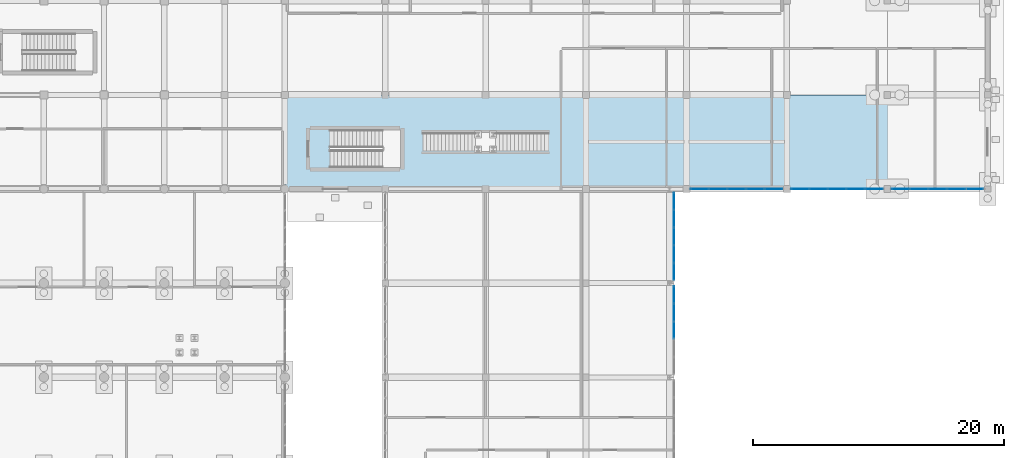
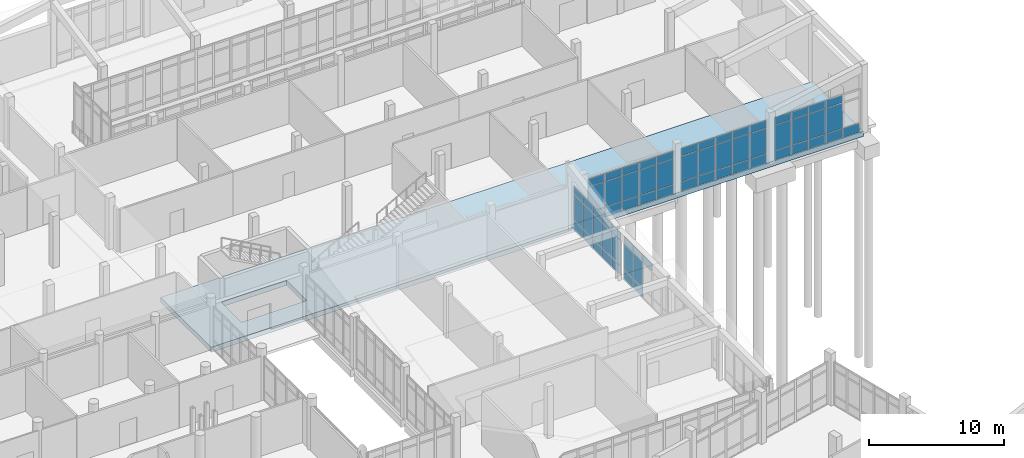
# One storey, part 144 of 173: 65 plates, 1 slab, 5 elements without a shape of their own.
"""IFC4 building model written with IfcOpenShell, lengths in metres."""

from ifc_helpers import new_model, si_unit, direction, frame, origin, origin_2d, place, context, subcontext, project, spatial, polyline, rectangle, outline, extrude, material, layer, layer_set, type_object, element, aggregate, save


model = new_model("IFC4")

# Units and contexts
model_context = context("Model", 3, precision=1e-05, world=origin(), true_north=direction((0.0, 1.0)))
body_context = subcontext(model_context, "Body", "Model", "MODEL_VIEW")
ifc_project = project(units=[si_unit("LENGTHUNIT", "METRE"), si_unit("AREAUNIT", "SQUARE_METRE"), si_unit("VOLUMEUNIT", "CUBIC_METRE"), si_unit("PLANEANGLEUNIT", "RADIAN"), si_unit("MASSUNIT", "GRAM", prefix="KILO")], contexts=[model_context])

# Site, building, storey
site_placement = place(None, origin())
site = spatial("IfcSite", under=ifc_project, at=site_placement, CompositionType="ELEMENT")
building_placement = place(site_placement, origin())
building = spatial("IfcBuilding", under=site, at=building_placement, Name="Mawjan Specialist Oncology Clinic", CompositionType="ELEMENT")
storey_placement = place(building_placement, origin())
storey = spatial("IfcBuildingStorey", under=building, at=storey_placement, Name="L00", CompositionType="ELEMENT", Elevation=0.0)

# Curtain wall, plates
ifc_material_1 = material(Name="Unitised spectrally selective aluminium curtain wall", Category="aluminium")
ifc_layer_1 = layer(ifc_material_1, 0.179931640625, Name="Unitised spectrally selective aluminium curtain wall", Category="aluminium")
ifc_layer_set_1 = layer_set([ifc_layer_1], Name="Unitised spectrally selective aluminium curtain wall")
curtain_wall_type_1 = type_object("IfcCurtainWallType", Name="CW-16", PredefinedType="NOTDEFINED", material=ifc_layer_set_1)
curtain_wall_1_placement = place(storey_placement, origin())
curtain_wall_1 = element("IfcCurtainWall", 1, at=curtain_wall_1_placement, inside=storey, type_object=curtain_wall_type_1, Name="L00 Unitised Curtain Wall CW-L00-029", PredefinedType="NOTDEFINED")
ifc_material_2 = material(Name="Spectrally selective double low-E glazing", Category="glass")
ifc_layer_2 = layer(ifc_material_2, 0.035888671875, Name="Spectrally selective double low-E glazing", Category="glass")
ifc_layer_set_2 = layer_set([ifc_layer_2], Name="Spectrally selective double low-E glazing")
plate_type = type_object("IfcPlateType", Name="CW-P36", PredefinedType="CURTAIN_PANEL", material=ifc_layer_set_2)
plate_1_placement = place(storey_placement, frame((162.97021484375, 75.800048828125, 0.06494140625), z_axis=(0.0, 0.0, 1.0), x_axis=(-1.0, 0.0, 0.0)))
plate_1 = element("IfcPlate", 2, at=plate_1_placement, type_object=plate_type, Name="CW-16 panel 1.1", PredefinedType="CURTAIN_PANEL", context=body_context, shape_type="SweptSolid", body=[
    extrude(rectangle(XDim=1.389404296875, YDim=0.035888671875, at=origin_2d()), origin(), (0.0, 0.0, 1.0), 0.802490234375),
])
plate_2_placement = place(storey_placement, frame((161.49951171875, 75.800048828125, 0.06494140625), z_axis=(0.0, 0.0, 1.0), x_axis=(-1.0, 0.0, 0.0)))
plate_2 = element("IfcPlate", 3, at=plate_2_placement, type_object=plate_type, Name="CW-16 panel 2.1", PredefinedType="CURTAIN_PANEL", context=body_context, shape_type="SweptSolid", body=[
    extrude(rectangle(XDim=1.422119140625, YDim=0.035888671875, at=origin_2d()), origin(), (0.0, 0.0, 1.0), 0.802490234375),
])
plate_3_placement = place(storey_placement, frame((161.49951171875, 75.800048828125, 0.932373046875), z_axis=(0.0, 0.0, 1.0), x_axis=(-1.0, 0.0, 0.0)))
plate_3 = element("IfcPlate", 4, at=plate_3_placement, type_object=plate_type, Name="CW-16 panel 2.2", PredefinedType="CURTAIN_PANEL", context=body_context, shape_type="SweptSolid", body=[
    extrude(rectangle(XDim=1.422119140625, YDim=0.035888671875, at=origin_2d()), origin(), (0.0, 0.0, 1.0), 2.27001953125),
])
plate_4_placement = place(storey_placement, frame((161.49951171875, 75.800048828125, 3.267578125), z_axis=(0.0, 0.0, 1.0), x_axis=(-1.0, 0.0, 0.0)))
plate_4 = element("IfcPlate", 5, at=plate_4_placement, type_object=plate_type, Name="CW-16 panel 2.3", PredefinedType="CURTAIN_PANEL", context=body_context, shape_type="SweptSolid", body=[
    extrude(rectangle(XDim=1.422119140625, YDim=0.035888671875, at=origin_2d()), origin(), (0.0, 0.0, 1.0), 0.652587890625),
])
plate_5_placement = place(storey_placement, frame((160.012451171875, 75.800048828125, 0.06494140625), z_axis=(0.0, 0.0, 1.0), x_axis=(-1.0, 0.0, 0.0)))
plate_5 = element("IfcPlate", 6, at=plate_5_placement, type_object=plate_type, Name="CW-16 panel 3.1", PredefinedType="CURTAIN_PANEL", context=body_context, shape_type="SweptSolid", body=[
    extrude(rectangle(XDim=1.422119140625, YDim=0.035888671875, at=origin_2d()), origin(), (0.0, 0.0, 1.0), 0.802490234375),
])
plate_6_placement = place(storey_placement, frame((160.012451171875, 75.800048828125, 0.932373046875), z_axis=(0.0, 0.0, 1.0), x_axis=(-1.0, 0.0, 0.0)))
plate_6 = element("IfcPlate", 7, at=plate_6_placement, type_object=plate_type, Name="CW-16 panel 3.2", PredefinedType="CURTAIN_PANEL", context=body_context, shape_type="SweptSolid", body=[
    extrude(rectangle(XDim=1.422119140625, YDim=0.035888671875, at=origin_2d()), origin(), (0.0, 0.0, 1.0), 2.27001953125),
])
plate_7_placement = place(storey_placement, frame((160.012451171875, 75.800048828125, 3.267578125), z_axis=(0.0, 0.0, 1.0), x_axis=(-1.0, 0.0, 0.0)))
plate_7 = element("IfcPlate", 8, at=plate_7_placement, type_object=plate_type, Name="CW-16 panel 3.3", PredefinedType="CURTAIN_PANEL", context=body_context, shape_type="SweptSolid", body=[
    extrude(rectangle(XDim=1.422119140625, YDim=0.035888671875, at=origin_2d()), origin(), (0.0, 0.0, 1.0), 0.652587890625),
])
plate_8_placement = place(storey_placement, frame((158.525390625, 75.800048828125, 0.06494140625), z_axis=(0.0, 0.0, 1.0), x_axis=(-1.0, 0.0, 0.0)))
plate_8 = element("IfcPlate", 9, at=plate_8_placement, type_object=plate_type, Name="CW-16 panel 4.1", PredefinedType="CURTAIN_PANEL", context=body_context, shape_type="SweptSolid", body=[
    extrude(rectangle(XDim=1.422119140625, YDim=0.035888671875, at=origin_2d()), origin(), (0.0, 0.0, 1.0), 0.802490234375),
])
plate_9_placement = place(storey_placement, frame((158.525390625, 75.800048828125, 0.932373046875), z_axis=(0.0, 0.0, 1.0), x_axis=(-1.0, 0.0, 0.0)))
plate_9 = element("IfcPlate", 10, at=plate_9_placement, type_object=plate_type, Name="CW-16 panel 4.2", PredefinedType="CURTAIN_PANEL", context=body_context, shape_type="SweptSolid", body=[
    extrude(rectangle(XDim=1.422119140625, YDim=0.035888671875, at=origin_2d()), origin(), (0.0, 0.0, 1.0), 2.27001953125),
])
plate_10_placement = place(storey_placement, frame((158.525390625, 75.800048828125, 3.267578125), z_axis=(0.0, 0.0, 1.0), x_axis=(-1.0, 0.0, 0.0)))
plate_10 = element("IfcPlate", 11, at=plate_10_placement, type_object=plate_type, Name="CW-16 panel 4.3", PredefinedType="CURTAIN_PANEL", context=body_context, shape_type="SweptSolid", body=[
    extrude(rectangle(XDim=1.422119140625, YDim=0.035888671875, at=origin_2d()), origin(), (0.0, 0.0, 1.0), 0.652587890625),
])
plate_11_placement = place(storey_placement, frame((157.0546875, 75.800048828125, 0.06494140625), z_axis=(0.0, 0.0, 1.0), x_axis=(-1.0, 0.0, 0.0)))
plate_11 = element("IfcPlate", 12, at=plate_11_placement, type_object=plate_type, Name="CW-16 panel 5.1", PredefinedType="CURTAIN_PANEL", context=body_context, shape_type="SweptSolid", body=[
    extrude(rectangle(XDim=1.389404296875, YDim=0.035888671875, at=origin_2d()), origin(), (0.0, 0.0, 1.0), 0.802490234375),
])
plate_12_placement = place(storey_placement, frame((157.0546875, 75.800048828125, 0.932373046875), z_axis=(0.0, 0.0, 1.0), x_axis=(-1.0, 0.0, 0.0)))
plate_12 = element("IfcPlate", 13, at=plate_12_placement, type_object=plate_type, Name="CW-16 panel 5.2", PredefinedType="CURTAIN_PANEL", context=body_context, shape_type="SweptSolid", body=[
    extrude(rectangle(XDim=1.389404296875, YDim=0.035888671875, at=origin_2d()), origin(), (0.0, 0.0, 1.0), 2.27001953125),
])
plate_13_placement = place(storey_placement, frame((157.0546875, 75.800048828125, 3.267578125), z_axis=(0.0, 0.0, 1.0), x_axis=(-1.0, 0.0, 0.0)))
plate_13 = element("IfcPlate", 14, at=plate_13_placement, type_object=plate_type, Name="CW-16 panel 5.3", PredefinedType="CURTAIN_PANEL", context=body_context, shape_type="SweptSolid", body=[
    extrude(rectangle(XDim=1.389404296875, YDim=0.035888671875, at=origin_2d()), origin(), (0.0, 0.0, 1.0), 0.652587890625),
])
aggregate(curtain_wall_1, [plate_1, plate_2, plate_3, plate_4, plate_5, plate_6, plate_7, plate_8, plate_9, plate_10, plate_11, plate_12, plate_13])

ifc_material_3 = material(Name="Unitised spectrally selective aluminium curtain wall", Category="aluminium")
ifc_layer_3 = layer(ifc_material_3, 0.179931640625, Name="Unitised spectrally selective aluminium curtain wall", Category="aluminium")
ifc_layer_set_3 = layer_set([ifc_layer_3], Name="Unitised spectrally selective aluminium curtain wall")
curtain_wall_type_2 = type_object("IfcCurtainWallType", Name="CW-17", PredefinedType="NOTDEFINED", material=ifc_layer_set_3)
curtain_wall_2_placement = place(storey_placement, origin())
curtain_wall_2 = element("IfcCurtainWall", 15, at=curtain_wall_2_placement, inside=storey, type_object=curtain_wall_type_2, Name="L00 Unitised Curtain Wall CW-L00-030", PredefinedType="NOTDEFINED")
plate_14_placement = place(storey_placement, frame((154.94775390625, 75.800048828125, 0.06494140625), z_axis=(0.0, 0.0, 1.0), x_axis=(-1.0, 0.0, 0.0)))
plate_14 = element("IfcPlate", 16, at=plate_14_placement, type_object=plate_type, Name="CW-17 panel 1.1", PredefinedType="CURTAIN_PANEL", context=body_context, shape_type="SweptSolid", body=[
    extrude(rectangle(XDim=1.384521484375, YDim=0.035888671875, at=origin_2d()), origin(), (0.0, 0.0, 1.0), 0.802490234375),
])
plate_15_placement = place(storey_placement, frame((154.94775390625, 75.800048828125, 0.932373046875), z_axis=(0.0, 0.0, 1.0), x_axis=(-1.0, 0.0, 0.0)))
plate_15 = element("IfcPlate", 17, at=plate_15_placement, type_object=plate_type, Name="CW-17 panel 1.2", PredefinedType="CURTAIN_PANEL", context=body_context, shape_type="SweptSolid", body=[
    extrude(rectangle(XDim=1.384521484375, YDim=0.035888671875, at=origin_2d()), origin(), (0.0, 0.0, 1.0), 2.27001953125),
])
plate_16_placement = place(storey_placement, frame((154.94775390625, 75.800048828125, 3.267578125), z_axis=(0.0, 0.0, 1.0), x_axis=(-1.0, 0.0, 0.0)))
plate_16 = element("IfcPlate", 18, at=plate_16_placement, type_object=plate_type, Name="CW-17 panel 1.3", PredefinedType="CURTAIN_PANEL", context=body_context, shape_type="SweptSolid", body=[
    extrude(rectangle(XDim=1.384521484375, YDim=0.035888671875, at=origin_2d()), origin(), (0.0, 0.0, 1.0), 0.652587890625),
])
plate_17_placement = place(storey_placement, frame((153.48193359375, 75.800048828125, 0.06494140625), z_axis=(0.0, 0.0, 1.0), x_axis=(-1.0, 0.0, 0.0)))
plate_17 = element("IfcPlate", 19, at=plate_17_placement, type_object=plate_type, Name="CW-17 panel 2.1", PredefinedType="CURTAIN_PANEL", context=body_context, shape_type="SweptSolid", body=[
    extrude(rectangle(XDim=1.4169921875, YDim=0.035888671875, at=origin_2d()), origin(), (0.0, 0.0, 1.0), 0.802490234375),
])
plate_18_placement = place(storey_placement, frame((153.48193359375, 75.800048828125, 0.932373046875), z_axis=(0.0, 0.0, 1.0), x_axis=(-1.0, 0.0, 0.0)))
plate_18 = element("IfcPlate", 20, at=plate_18_placement, type_object=plate_type, Name="CW-17 panel 2.2", PredefinedType="CURTAIN_PANEL", context=body_context, shape_type="SweptSolid", body=[
    extrude(rectangle(XDim=1.4169921875, YDim=0.035888671875, at=origin_2d()), origin(), (0.0, 0.0, 1.0), 2.27001953125),
])
plate_19_placement = place(storey_placement, frame((153.48193359375, 75.800048828125, 3.267578125), z_axis=(0.0, 0.0, 1.0), x_axis=(-1.0, 0.0, 0.0)))
plate_19 = element("IfcPlate", 21, at=plate_19_placement, type_object=plate_type, Name="CW-17 panel 2.3", PredefinedType="CURTAIN_PANEL", context=body_context, shape_type="SweptSolid", body=[
    extrude(rectangle(XDim=1.4169921875, YDim=0.035888671875, at=origin_2d()), origin(), (0.0, 0.0, 1.0), 0.652587890625),
])
plate_20_placement = place(storey_placement, frame((152.0, 75.800048828125, 0.06494140625), z_axis=(0.0, 0.0, 1.0), x_axis=(-1.0, 0.0, 0.0)))
plate_20 = element("IfcPlate", 22, at=plate_20_placement, type_object=plate_type, Name="CW-17 panel 3.1", PredefinedType="CURTAIN_PANEL", context=body_context, shape_type="SweptSolid", body=[
    extrude(rectangle(XDim=1.4169921875, YDim=0.035888671875, at=origin_2d()), origin(), (0.0, 0.0, 1.0), 0.802490234375),
])
plate_21_placement = place(storey_placement, frame((152.0, 75.800048828125, 0.932373046875), z_axis=(0.0, 0.0, 1.0), x_axis=(-1.0, 0.0, 0.0)))
plate_21 = element("IfcPlate", 23, at=plate_21_placement, type_object=plate_type, Name="CW-17 panel 3.2", PredefinedType="CURTAIN_PANEL", context=body_context, shape_type="SweptSolid", body=[
    extrude(rectangle(XDim=1.4169921875, YDim=0.035888671875, at=origin_2d()), origin(), (0.0, 0.0, 1.0), 2.27001953125),
])
plate_22_placement = place(storey_placement, frame((152.0, 75.800048828125, 3.267578125), z_axis=(0.0, 0.0, 1.0), x_axis=(-1.0, 0.0, 0.0)))
plate_22 = element("IfcPlate", 24, at=plate_22_placement, type_object=plate_type, Name="CW-17 panel 3.3", PredefinedType="CURTAIN_PANEL", context=body_context, shape_type="SweptSolid", body=[
    extrude(rectangle(XDim=1.4169921875, YDim=0.035888671875, at=origin_2d()), origin(), (0.0, 0.0, 1.0), 0.652587890625),
])
plate_23_placement = place(storey_placement, frame((150.51806640625, 75.800048828125, 0.06494140625), z_axis=(0.0, 0.0, 1.0), x_axis=(-1.0, 0.0, 0.0)))
plate_23 = element("IfcPlate", 25, at=plate_23_placement, type_object=plate_type, Name="CW-17 panel 4.1", PredefinedType="CURTAIN_PANEL", context=body_context, shape_type="SweptSolid", body=[
    extrude(rectangle(XDim=1.4169921875, YDim=0.035888671875, at=origin_2d()), origin(), (0.0, 0.0, 1.0), 0.802490234375),
])
plate_24_placement = place(storey_placement, frame((150.51806640625, 75.800048828125, 0.932373046875), z_axis=(0.0, 0.0, 1.0), x_axis=(-1.0, 0.0, 0.0)))
plate_24 = element("IfcPlate", 26, at=plate_24_placement, type_object=plate_type, Name="CW-17 panel 4.2", PredefinedType="CURTAIN_PANEL", context=body_context, shape_type="SweptSolid", body=[
    extrude(rectangle(XDim=1.4169921875, YDim=0.035888671875, at=origin_2d()), origin(), (0.0, 0.0, 1.0), 2.27001953125),
])
plate_25_placement = place(storey_placement, frame((150.51806640625, 75.800048828125, 3.267578125), z_axis=(0.0, 0.0, 1.0), x_axis=(-1.0, 0.0, 0.0)))
plate_25 = element("IfcPlate", 27, at=plate_25_placement, type_object=plate_type, Name="CW-17 panel 4.3", PredefinedType="CURTAIN_PANEL", context=body_context, shape_type="SweptSolid", body=[
    extrude(rectangle(XDim=1.4169921875, YDim=0.035888671875, at=origin_2d()), origin(), (0.0, 0.0, 1.0), 0.652587890625),
])
plate_26_placement = place(storey_placement, frame((149.05224609375, 75.800048828125, 0.06494140625), z_axis=(0.0, 0.0, 1.0), x_axis=(-1.0, 0.0, 0.0)))
plate_26 = element("IfcPlate", 28, at=plate_26_placement, type_object=plate_type, Name="CW-17 panel 5.1", PredefinedType="CURTAIN_PANEL", context=body_context, shape_type="SweptSolid", body=[
    extrude(rectangle(XDim=1.384521484375, YDim=0.035888671875, at=origin_2d()), origin(), (0.0, 0.0, 1.0), 0.802490234375),
])
plate_27_placement = place(storey_placement, frame((149.05224609375, 75.800048828125, 0.932373046875), z_axis=(0.0, 0.0, 1.0), x_axis=(-1.0, 0.0, 0.0)))
plate_27 = element("IfcPlate", 29, at=plate_27_placement, type_object=plate_type, Name="CW-17 panel 5.2", PredefinedType="CURTAIN_PANEL", context=body_context, shape_type="SweptSolid", body=[
    extrude(rectangle(XDim=1.384521484375, YDim=0.035888671875, at=origin_2d()), origin(), (0.0, 0.0, 1.0), 2.27001953125),
])
plate_28_placement = place(storey_placement, frame((149.05224609375, 75.800048828125, 3.267578125), z_axis=(0.0, 0.0, 1.0), x_axis=(-1.0, 0.0, 0.0)))
plate_28 = element("IfcPlate", 30, at=plate_28_placement, type_object=plate_type, Name="CW-17 panel 5.3", PredefinedType="CURTAIN_PANEL", context=body_context, shape_type="SweptSolid", body=[
    extrude(rectangle(XDim=1.384521484375, YDim=0.035888671875, at=origin_2d()), origin(), (0.0, 0.0, 1.0), 0.652587890625),
])
aggregate(curtain_wall_2, [plate_14, plate_15, plate_16, plate_17, plate_18, plate_19, plate_20, plate_21, plate_22, plate_23, plate_24, plate_25, plate_26, plate_27, plate_28])

curtain_wall_3_placement = place(storey_placement, origin())
curtain_wall_3 = element("IfcCurtainWall", 31, at=curtain_wall_3_placement, inside=storey, type_object=curtain_wall_type_2, Name="L00 Unitised Curtain Wall CW-L00-031", PredefinedType="NOTDEFINED")
plate_29_placement = place(storey_placement, frame((146.94775390625, 75.800048828125, 0.06494140625), z_axis=(0.0, 0.0, 1.0), x_axis=(-1.0, 0.0, 0.0)))
plate_29 = element("IfcPlate", 32, at=plate_29_placement, type_object=plate_type, Name="CW-17 panel 1.1", PredefinedType="CURTAIN_PANEL", context=body_context, shape_type="SweptSolid", body=[
    extrude(rectangle(XDim=1.384521484375, YDim=0.035888671875, at=origin_2d()), origin(), (0.0, 0.0, 1.0), 0.802490234375),
])
plate_30_placement = place(storey_placement, frame((146.94775390625, 75.800048828125, 0.932373046875), z_axis=(0.0, 0.0, 1.0), x_axis=(-1.0, 0.0, 0.0)))
plate_30 = element("IfcPlate", 33, at=plate_30_placement, type_object=plate_type, Name="CW-17 panel 1.2", PredefinedType="CURTAIN_PANEL", context=body_context, shape_type="SweptSolid", body=[
    extrude(rectangle(XDim=1.384521484375, YDim=0.035888671875, at=origin_2d()), origin(), (0.0, 0.0, 1.0), 2.27001953125),
])
plate_31_placement = place(storey_placement, frame((146.94775390625, 75.800048828125, 3.267578125), z_axis=(0.0, 0.0, 1.0), x_axis=(-1.0, 0.0, 0.0)))
plate_31 = element("IfcPlate", 34, at=plate_31_placement, type_object=plate_type, Name="CW-17 panel 1.3", PredefinedType="CURTAIN_PANEL", context=body_context, shape_type="SweptSolid", body=[
    extrude(rectangle(XDim=1.384521484375, YDim=0.035888671875, at=origin_2d()), origin(), (0.0, 0.0, 1.0), 0.652587890625),
])
plate_32_placement = place(storey_placement, frame((145.48193359375, 75.800048828125, 0.06494140625), z_axis=(0.0, 0.0, 1.0), x_axis=(-1.0, 0.0, 0.0)))
plate_32 = element("IfcPlate", 35, at=plate_32_placement, type_object=plate_type, Name="CW-17 panel 2.1", PredefinedType="CURTAIN_PANEL", context=body_context, shape_type="SweptSolid", body=[
    extrude(rectangle(XDim=1.4169921875, YDim=0.035888671875, at=origin_2d()), origin(), (0.0, 0.0, 1.0), 0.802490234375),
])
plate_33_placement = place(storey_placement, frame((145.48193359375, 75.800048828125, 0.932373046875), z_axis=(0.0, 0.0, 1.0), x_axis=(-1.0, 0.0, 0.0)))
plate_33 = element("IfcPlate", 36, at=plate_33_placement, type_object=plate_type, Name="CW-17 panel 2.2", PredefinedType="CURTAIN_PANEL", context=body_context, shape_type="SweptSolid", body=[
    extrude(rectangle(XDim=1.4169921875, YDim=0.035888671875, at=origin_2d()), origin(), (0.0, 0.0, 1.0), 2.27001953125),
])
plate_34_placement = place(storey_placement, frame((145.48193359375, 75.800048828125, 3.267578125), z_axis=(0.0, 0.0, 1.0), x_axis=(-1.0, 0.0, 0.0)))
plate_34 = element("IfcPlate", 37, at=plate_34_placement, type_object=plate_type, Name="CW-17 panel 2.3", PredefinedType="CURTAIN_PANEL", context=body_context, shape_type="SweptSolid", body=[
    extrude(rectangle(XDim=1.4169921875, YDim=0.035888671875, at=origin_2d()), origin(), (0.0, 0.0, 1.0), 0.652587890625),
])
plate_35_placement = place(storey_placement, frame((144.0, 75.800048828125, 0.06494140625), z_axis=(0.0, 0.0, 1.0), x_axis=(-1.0, 0.0, 0.0)))
plate_35 = element("IfcPlate", 38, at=plate_35_placement, type_object=plate_type, Name="CW-17 panel 3.1", PredefinedType="CURTAIN_PANEL", context=body_context, shape_type="SweptSolid", body=[
    extrude(rectangle(XDim=1.4169921875, YDim=0.035888671875, at=origin_2d()), origin(), (0.0, 0.0, 1.0), 0.802490234375),
])
plate_36_placement = place(storey_placement, frame((144.0, 75.800048828125, 0.932373046875), z_axis=(0.0, 0.0, 1.0), x_axis=(-1.0, 0.0, 0.0)))
plate_36 = element("IfcPlate", 39, at=plate_36_placement, type_object=plate_type, Name="CW-17 panel 3.2", PredefinedType="CURTAIN_PANEL", context=body_context, shape_type="SweptSolid", body=[
    extrude(rectangle(XDim=1.4169921875, YDim=0.035888671875, at=origin_2d()), origin(), (0.0, 0.0, 1.0), 2.27001953125),
])
plate_37_placement = place(storey_placement, frame((144.0, 75.800048828125, 3.267578125), z_axis=(0.0, 0.0, 1.0), x_axis=(-1.0, 0.0, 0.0)))
plate_37 = element("IfcPlate", 40, at=plate_37_placement, type_object=plate_type, Name="CW-17 panel 3.3", PredefinedType="CURTAIN_PANEL", context=body_context, shape_type="SweptSolid", body=[
    extrude(rectangle(XDim=1.4169921875, YDim=0.035888671875, at=origin_2d()), origin(), (0.0, 0.0, 1.0), 0.652587890625),
])
plate_38_placement = place(storey_placement, frame((142.51806640625, 75.800048828125, 0.06494140625), z_axis=(0.0, 0.0, 1.0), x_axis=(-1.0, 0.0, 0.0)))
plate_38 = element("IfcPlate", 41, at=plate_38_placement, type_object=plate_type, Name="CW-17 panel 4.1", PredefinedType="CURTAIN_PANEL", context=body_context, shape_type="SweptSolid", body=[
    extrude(rectangle(XDim=1.4169921875, YDim=0.035888671875, at=origin_2d()), origin(), (0.0, 0.0, 1.0), 0.802490234375),
])
plate_39_placement = place(storey_placement, frame((142.51806640625, 75.800048828125, 0.932373046875), z_axis=(0.0, 0.0, 1.0), x_axis=(-1.0, 0.0, 0.0)))
plate_39 = element("IfcPlate", 42, at=plate_39_placement, type_object=plate_type, Name="CW-17 panel 4.2", PredefinedType="CURTAIN_PANEL", context=body_context, shape_type="SweptSolid", body=[
    extrude(rectangle(XDim=1.4169921875, YDim=0.035888671875, at=origin_2d()), origin(), (0.0, 0.0, 1.0), 2.27001953125),
])
plate_40_placement = place(storey_placement, frame((142.51806640625, 75.800048828125, 3.267578125), z_axis=(0.0, 0.0, 1.0), x_axis=(-1.0, 0.0, 0.0)))
plate_40 = element("IfcPlate", 43, at=plate_40_placement, type_object=plate_type, Name="CW-17 panel 4.3", PredefinedType="CURTAIN_PANEL", context=body_context, shape_type="SweptSolid", body=[
    extrude(rectangle(XDim=1.4169921875, YDim=0.035888671875, at=origin_2d()), origin(), (0.0, 0.0, 1.0), 0.652587890625),
])
plate_41_placement = place(storey_placement, frame((141.05224609375, 75.800048828125, 0.06494140625), z_axis=(0.0, 0.0, 1.0), x_axis=(-1.0, 0.0, 0.0)))
plate_41 = element("IfcPlate", 44, at=plate_41_placement, type_object=plate_type, Name="CW-17 panel 5.1", PredefinedType="CURTAIN_PANEL", context=body_context, shape_type="SweptSolid", body=[
    extrude(rectangle(XDim=1.384521484375, YDim=0.035888671875, at=origin_2d()), origin(), (0.0, 0.0, 1.0), 0.802490234375),
])
plate_42_placement = place(storey_placement, frame((141.05224609375, 75.800048828125, 0.932373046875), z_axis=(0.0, 0.0, 1.0), x_axis=(-1.0, 0.0, 0.0)))
plate_42 = element("IfcPlate", 45, at=plate_42_placement, type_object=plate_type, Name="CW-17 panel 5.2", PredefinedType="CURTAIN_PANEL", context=body_context, shape_type="SweptSolid", body=[
    extrude(rectangle(XDim=1.384521484375, YDim=0.035888671875, at=origin_2d()), origin(), (0.0, 0.0, 1.0), 2.27001953125),
])
plate_43_placement = place(storey_placement, frame((141.05224609375, 75.800048828125, 3.267578125), z_axis=(0.0, 0.0, 1.0), x_axis=(-1.0, 0.0, 0.0)))
plate_43 = element("IfcPlate", 46, at=plate_43_placement, type_object=plate_type, Name="CW-17 panel 5.3", PredefinedType="CURTAIN_PANEL", context=body_context, shape_type="SweptSolid", body=[
    extrude(rectangle(XDim=1.384521484375, YDim=0.035888671875, at=origin_2d()), origin(), (0.0, 0.0, 1.0), 0.652587890625),
])
aggregate(curtain_wall_3, [plate_29, plate_30, plate_31, plate_32, plate_33, plate_34, plate_35, plate_36, plate_37, plate_38, plate_39, plate_40, plate_41, plate_42, plate_43])

ifc_material_4 = material(Name="Unitised spectrally selective aluminium curtain wall", Category="aluminium")
ifc_layer_4 = layer(ifc_material_4, 0.179931640625, Name="Unitised spectrally selective aluminium curtain wall", Category="aluminium")
ifc_layer_set_4 = layer_set([ifc_layer_4], Name="Unitised spectrally selective aluminium curtain wall")
curtain_wall_type_3 = type_object("IfcCurtainWallType", Name="CW-18", PredefinedType="NOTDEFINED", material=ifc_layer_set_4)
curtain_wall_4_placement = place(storey_placement, origin())
curtain_wall_4 = element("IfcCurtainWall", 47, at=curtain_wall_4_placement, inside=storey, type_object=curtain_wall_type_3, Name="L00 Unitised Curtain Wall CW-L00-032", PredefinedType="NOTDEFINED")
plate_44_placement = place(storey_placement, frame((139.0, 74.828857421875, 0.06494140625), z_axis=(0.0, 0.0, 1.0), x_axis=(0.0, -1.0, 0.0)))
plate_44 = element("IfcPlate", 48, at=plate_44_placement, type_object=plate_type, Name="CW-18 panel 1.1", PredefinedType="CURTAIN_PANEL", context=body_context, shape_type="SweptSolid", body=[
    extrude(rectangle(XDim=1.3125, YDim=0.035888671875, at=origin_2d()), origin(), (0.0, 0.0, 1.0), 0.802490234375),
])
plate_45_placement = place(storey_placement, frame((139.0, 74.828857421875, 0.932373046875), z_axis=(0.0, 0.0, 1.0), x_axis=(0.0, -1.0, 0.0)))
plate_45 = element("IfcPlate", 49, at=plate_45_placement, type_object=plate_type, Name="CW-18 panel 1.2", PredefinedType="CURTAIN_PANEL", context=body_context, shape_type="SweptSolid", body=[
    extrude(rectangle(XDim=1.3125, YDim=0.035888671875, at=origin_2d()), origin(), (0.0, 0.0, 1.0), 2.27001953125),
])
plate_46_placement = place(storey_placement, frame((139.0, 74.828857421875, 3.267578125), z_axis=(0.0, 0.0, 1.0), x_axis=(0.0, -1.0, 0.0)))
plate_46 = element("IfcPlate", 50, at=plate_46_placement, type_object=plate_type, Name="CW-18 panel 1.3", PredefinedType="CURTAIN_PANEL", context=body_context, shape_type="SweptSolid", body=[
    extrude(rectangle(XDim=1.3125, YDim=0.035888671875, at=origin_2d()), origin(), (0.0, 0.0, 1.0), 0.652587890625),
])
plate_47_placement = place(storey_placement, frame((139.0, 73.43505859375, 0.06494140625), z_axis=(0.0, 0.0, 1.0), x_axis=(0.0, -1.0, 0.0)))
plate_47 = element("IfcPlate", 51, at=plate_47_placement, type_object=plate_type, Name="CW-18 panel 2.1", PredefinedType="CURTAIN_PANEL", context=body_context, shape_type="SweptSolid", body=[
    extrude(rectangle(XDim=1.344970703125, YDim=0.035888671875, at=origin_2d()), origin(), (0.0, 0.0, 1.0), 0.802490234375),
])
plate_48_placement = place(storey_placement, frame((139.0, 73.43505859375, 0.932373046875), z_axis=(0.0, 0.0, 1.0), x_axis=(0.0, -1.0, 0.0)))
plate_48 = element("IfcPlate", 52, at=plate_48_placement, type_object=plate_type, Name="CW-18 panel 2.2", PredefinedType="CURTAIN_PANEL", context=body_context, shape_type="SweptSolid", body=[
    extrude(rectangle(XDim=1.344970703125, YDim=0.035888671875, at=origin_2d()), origin(), (0.0, 0.0, 1.0), 2.27001953125),
])
plate_49_placement = place(storey_placement, frame((139.0, 73.43505859375, 3.267578125), z_axis=(0.0, 0.0, 1.0), x_axis=(0.0, -1.0, 0.0)))
plate_49 = element("IfcPlate", 53, at=plate_49_placement, type_object=plate_type, Name="CW-18 panel 2.3", PredefinedType="CURTAIN_PANEL", context=body_context, shape_type="SweptSolid", body=[
    extrude(rectangle(XDim=1.344970703125, YDim=0.035888671875, at=origin_2d()), origin(), (0.0, 0.0, 1.0), 0.652587890625),
])
plate_50_placement = place(storey_placement, frame((139.0, 72.02490234375, 0.06494140625), z_axis=(0.0, 0.0, 1.0), x_axis=(0.0, -1.0, 0.0)))
plate_50 = element("IfcPlate", 54, at=plate_50_placement, type_object=plate_type, Name="CW-18 panel 3.1", PredefinedType="CURTAIN_PANEL", context=body_context, shape_type="SweptSolid", body=[
    extrude(rectangle(XDim=1.344970703125, YDim=0.035888671875, at=origin_2d()), origin(), (0.0, 0.0, 1.0), 0.802490234375),
])
plate_51_placement = place(storey_placement, frame((139.0, 72.02490234375, 0.932373046875), z_axis=(0.0, 0.0, 1.0), x_axis=(0.0, -1.0, 0.0)))
plate_51 = element("IfcPlate", 55, at=plate_51_placement, type_object=plate_type, Name="CW-18 panel 3.2", PredefinedType="CURTAIN_PANEL", context=body_context, shape_type="SweptSolid", body=[
    extrude(rectangle(XDim=1.344970703125, YDim=0.035888671875, at=origin_2d()), origin(), (0.0, 0.0, 1.0), 2.27001953125),
])
plate_52_placement = place(storey_placement, frame((139.0, 72.02490234375, 3.267578125), z_axis=(0.0, 0.0, 1.0), x_axis=(0.0, -1.0, 0.0)))
plate_52 = element("IfcPlate", 56, at=plate_52_placement, type_object=plate_type, Name="CW-18 panel 3.3", PredefinedType="CURTAIN_PANEL", context=body_context, shape_type="SweptSolid", body=[
    extrude(rectangle(XDim=1.344970703125, YDim=0.035888671875, at=origin_2d()), origin(), (0.0, 0.0, 1.0), 0.652587890625),
])
plate_53_placement = place(storey_placement, frame((139.0, 70.614990234375, 0.06494140625), z_axis=(0.0, 0.0, 1.0), x_axis=(0.0, -1.0, 0.0)))
plate_53 = element("IfcPlate", 57, at=plate_53_placement, type_object=plate_type, Name="CW-18 panel 4.1", PredefinedType="CURTAIN_PANEL", context=body_context, shape_type="SweptSolid", body=[
    extrude(rectangle(XDim=1.344970703125, YDim=0.035888671875, at=origin_2d()), origin(), (0.0, 0.0, 1.0), 0.802490234375),
])
plate_54_placement = place(storey_placement, frame((139.0, 70.614990234375, 0.932373046875), z_axis=(0.0, 0.0, 1.0), x_axis=(0.0, -1.0, 0.0)))
plate_54 = element("IfcPlate", 58, at=plate_54_placement, type_object=plate_type, Name="CW-18 panel 4.2", PredefinedType="CURTAIN_PANEL", context=body_context, shape_type="SweptSolid", body=[
    extrude(rectangle(XDim=1.344970703125, YDim=0.035888671875, at=origin_2d()), origin(), (0.0, 0.0, 1.0), 2.27001953125),
])
plate_55_placement = place(storey_placement, frame((139.0, 70.614990234375, 3.267578125), z_axis=(0.0, 0.0, 1.0), x_axis=(0.0, -1.0, 0.0)))
plate_55 = element("IfcPlate", 59, at=plate_55_placement, type_object=plate_type, Name="CW-18 panel 4.3", PredefinedType="CURTAIN_PANEL", context=body_context, shape_type="SweptSolid", body=[
    extrude(rectangle(XDim=1.344970703125, YDim=0.035888671875, at=origin_2d()), origin(), (0.0, 0.0, 1.0), 0.652587890625),
])
plate_56_placement = place(storey_placement, frame((139.0, 69.22119140625, 0.06494140625), z_axis=(0.0, 0.0, 1.0), x_axis=(0.0, -1.0, 0.0)))
plate_56 = element("IfcPlate", 60, at=plate_56_placement, type_object=plate_type, Name="CW-18 panel 5.1", PredefinedType="CURTAIN_PANEL", context=body_context, shape_type="SweptSolid", body=[
    extrude(rectangle(XDim=1.3125, YDim=0.035888671875, at=origin_2d()), origin(), (0.0, 0.0, 1.0), 0.802490234375),
])
plate_57_placement = place(storey_placement, frame((139.0, 69.22119140625, 0.932373046875), z_axis=(0.0, 0.0, 1.0), x_axis=(0.0, -1.0, 0.0)))
plate_57 = element("IfcPlate", 61, at=plate_57_placement, type_object=plate_type, Name="CW-18 panel 5.2", PredefinedType="CURTAIN_PANEL", context=body_context, shape_type="SweptSolid", body=[
    extrude(rectangle(XDim=1.3125, YDim=0.035888671875, at=origin_2d()), origin(), (0.0, 0.0, 1.0), 2.27001953125),
])
plate_58_placement = place(storey_placement, frame((139.0, 69.22119140625, 3.267578125), z_axis=(0.0, 0.0, 1.0), x_axis=(0.0, -1.0, 0.0)))
plate_58 = element("IfcPlate", 62, at=plate_58_placement, type_object=plate_type, Name="CW-18 panel 5.3", PredefinedType="CURTAIN_PANEL", context=body_context, shape_type="SweptSolid", body=[
    extrude(rectangle(XDim=1.3125, YDim=0.035888671875, at=origin_2d()), origin(), (0.0, 0.0, 1.0), 0.652587890625),
])
aggregate(curtain_wall_4, [plate_44, plate_45, plate_46, plate_47, plate_48, plate_49, plate_50, plate_51, plate_52, plate_53, plate_54, plate_55, plate_56, plate_57, plate_58])

ifc_material_5 = material(Name="Unitised spectrally selective aluminium curtain wall", Category="aluminium")
ifc_layer_5 = layer(ifc_material_5, 0.179931640625, Name="Unitised spectrally selective aluminium curtain wall", Category="aluminium")
ifc_layer_set_5 = layer_set([ifc_layer_5], Name="Unitised spectrally selective aluminium curtain wall")
curtain_wall_type_4 = type_object("IfcCurtainWallType", Name="CW-19", PredefinedType="NOTDEFINED", material=ifc_layer_set_5)
curtain_wall_5_placement = place(storey_placement, origin())
curtain_wall_5 = element("IfcCurtainWall", 63, at=curtain_wall_5_placement, inside=storey, type_object=curtain_wall_type_4, Name="L00 Unitised Curtain Wall CW-L00-033", PredefinedType="NOTDEFINED")
plate_59_placement = place(storey_placement, frame((139.0, 67.373779296875, 0.06494140625), z_axis=(0.0, 0.0, 1.0), x_axis=(0.0, -1.0, 0.0)))
plate_59 = element("IfcPlate", 64, at=plate_59_placement, type_object=plate_type, Name="CW-19 panel 1.1", PredefinedType="CURTAIN_PANEL", context=body_context, shape_type="SweptSolid", body=[
    extrude(rectangle(XDim=1.322509765625, YDim=0.035888671875, at=origin_2d()), origin(), (0.0, 0.0, 1.0), 0.802490234375),
])
plate_60_placement = place(storey_placement, frame((139.0, 67.373779296875, 0.9326171875), z_axis=(0.0, 0.0, 1.0), x_axis=(0.0, -1.0, 0.0)))
plate_60 = element("IfcPlate", 65, at=plate_60_placement, type_object=plate_type, Name="CW-19 panel 1.2", PredefinedType="CURTAIN_PANEL", context=body_context, shape_type="SweptSolid", body=[
    extrude(rectangle(XDim=1.322509765625, YDim=0.035888671875, at=origin_2d()), origin(), (0.0, 0.0, 1.0), 2.302734375),
])
plate_61_placement = place(storey_placement, frame((139.0, 67.373779296875, 3.30029296875), z_axis=(0.0, 0.0, 1.0), x_axis=(0.0, -1.0, 0.0)))
plate_61 = element("IfcPlate", 66, at=plate_61_placement, type_object=plate_type, Name="CW-19 panel 1.3", PredefinedType="CURTAIN_PANEL", context=body_context, shape_type="SweptSolid", body=[
    extrude(rectangle(XDim=1.322509765625, YDim=0.035888671875, at=origin_2d()), origin(), (0.0, 0.0, 1.0), 0.652587890625),
])
plate_62_placement = place(storey_placement, frame((139.0, 65.969970703125, 0.06494140625), z_axis=(0.0, 0.0, 1.0), x_axis=(0.0, -1.0, 0.0)))
plate_62 = element("IfcPlate", 67, at=plate_62_placement, type_object=plate_type, Name="CW-19 panel 2.1", PredefinedType="CURTAIN_PANEL", context=body_context, shape_type="SweptSolid", body=[
    extrude(rectangle(XDim=1.35498046875, YDim=0.035888671875, at=origin_2d()), origin(), (0.0, 0.0, 1.0), 0.802490234375),
])
plate_63_placement = place(storey_placement, frame((139.0, 65.969970703125, 0.9326171875), z_axis=(0.0, 0.0, 1.0), x_axis=(0.0, -1.0, 0.0)))
plate_63 = element("IfcPlate", 68, at=plate_63_placement, type_object=plate_type, Name="CW-19 panel 2.2", PredefinedType="CURTAIN_PANEL", context=body_context, shape_type="SweptSolid", body=[
    extrude(rectangle(XDim=1.35498046875, YDim=0.035888671875, at=origin_2d()), origin(), (0.0, 0.0, 1.0), 2.302734375),
])
plate_64_placement = place(storey_placement, frame((139.0, 65.969970703125, 3.30029296875), z_axis=(0.0, 0.0, 1.0), x_axis=(0.0, -1.0, 0.0)))
plate_64 = element("IfcPlate", 69, at=plate_64_placement, type_object=plate_type, Name="CW-19 panel 2.3", PredefinedType="CURTAIN_PANEL", context=body_context, shape_type="SweptSolid", body=[
    extrude(rectangle(XDim=1.35498046875, YDim=0.035888671875, at=origin_2d()), origin(), (0.0, 0.0, 1.0), 0.652587890625),
])
plate_65_placement = place(storey_placement, frame((139.0, 64.550048828125, 3.30029296875), z_axis=(0.0, 0.0, 1.0), x_axis=(0.0, -1.0, 0.0)))
plate_65 = element("IfcPlate", 70, at=plate_65_placement, type_object=plate_type, Name="CW-19 panel 3.3", PredefinedType="CURTAIN_PANEL", context=body_context, shape_type="SweptSolid", body=[
    extrude(rectangle(XDim=1.35498046875, YDim=0.035888671875, at=origin_2d()), origin(), (0.0, 0.0, 1.0), 0.652587890625),
])
aggregate(curtain_wall_5, [plate_59, plate_60, plate_61, plate_62, plate_63, plate_64, plate_65])

# Slab
ifc_material_6 = material(Name="Concrete C40/50", Category="concrete")
ifc_layer_6 = layer(ifc_material_6, 0.449951171875, Name="Concrete C40/50", Category="concrete")
ifc_layer_set_6 = layer_set([ifc_layer_6], Name="Concrete C40/50")
slab_type = type_object("IfcSlabType", Name="FS-450", PredefinedType="FLOOR", material=ifc_layer_set_6)
slab_placement = place(storey_placement, frame((0.0, 0.0, -0.449951171875)))
element("IfcSlab", 71, at=slab_placement, inside=storey, type_object=slab_type, Name="L00 Diagnostic Imaging Pavilion Slab SLB-V2S-L00", PredefinedType="FLOOR", context=body_context, shape_type="SweptSolid", body=[
    extrude(outline(polyline([(108.0, 75.800048828125), (164.0, 75.800048828125), (164.0, 83.300048828125), (108.0, 83.300048828125), (108.0, 75.800048828125)]), holes=[polyline([(111.60009765625, 77.5), (117.199951171875, 77.5), (117.199951171875, 80.5), (111.60009765625, 80.5), (111.60009765625, 77.5)])]), origin(), (0.0, 0.0, 1.0), 0.449951171875),
])

save(model, "model.ifc")
